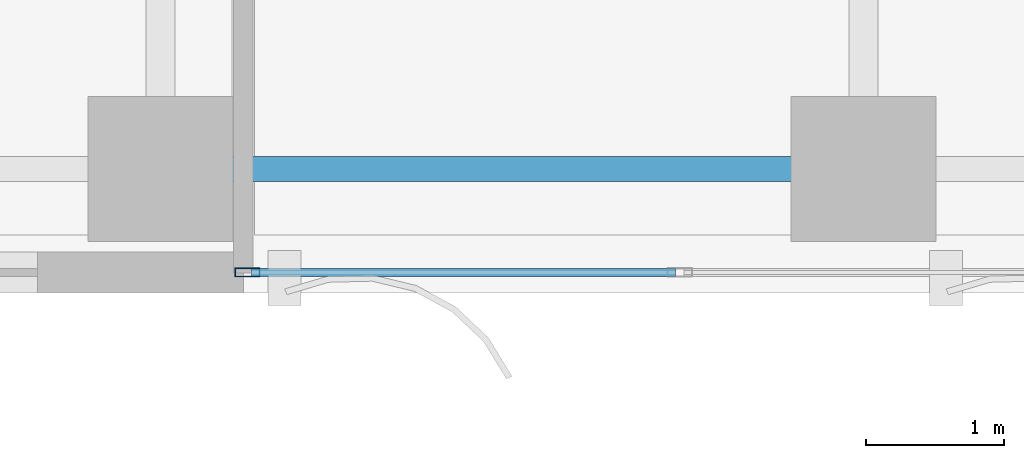
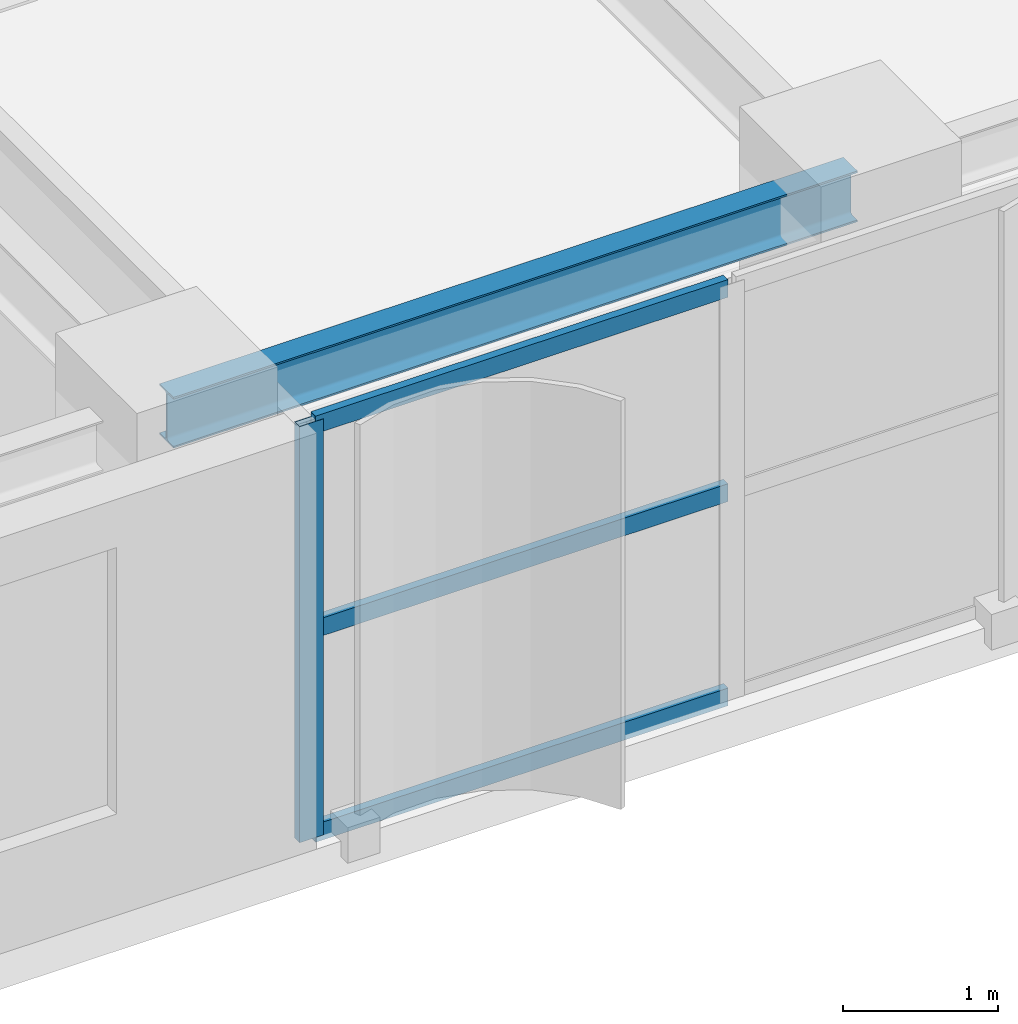
# One storey, part 2 of 28: 4 members, 1 beam, 1 element without a shape of its own.
"""IFC4 building model written with IfcOpenShell, lengths in metres."""

import ifcopenshell
import ifcopenshell.guid

model = None  # the IFC model being written
_history = None  # IfcOwnerHistory: only IFC2X3 demands one
_inside = {}  # id of a spatial element -> (the spatial element, [elements in it])
_under = {}  # id of a project, library or spatial element -> (it, [spatial elements below it])
_declared = {}  # id of a project -> (the project, [libraries it declares])
_typed = {}  # id of a type object -> (the type object, [elements of that type])
_made_of = {}  # id of a material, layer set ... -> (it, [elements and type objects made of it])


def new_model(schema):
    """Start an empty IFC model of exactly this schema.

    Asked for "IFC4X3", IfcOpenShell would pick the latest addendum, in which some entities
    have other attributes; the version numbers below select the first issue.
    IFC2X3 requires an IfcOwnerHistory on every rooted entity: one is made here for all.
    """
    global model, _history
    if schema == "IFC4X3":
        model = ifcopenshell.file(schema_version=(4, 3, 0, 0))
    else:
        model = ifcopenshell.file(schema=schema)
    _inside.clear()
    _under.clear()
    _declared.clear()
    _typed.clear()
    _made_of.clear()
    _history = None
    if model.schema == "IFC2X3":
        org = make("IfcOrganization", Name="unknown")
        user = make(
            "IfcPersonAndOrganization",
            ThePerson=make("IfcPerson", FamilyName="unknown"),
            TheOrganization=org,
        )
        app = make(
            "IfcApplication",
            ApplicationDeveloper=org,
            Version="unknown",
            ApplicationFullName="unknown",
            ApplicationIdentifier="unknown",
        )
        _history = make(
            "IfcOwnerHistory",
            OwningUser=user,
            OwningApplication=app,
            ChangeAction="ADDED",
            CreationDate=0,
        )
    return model


def make(cls, **values):
    """One entity of the class cls with the attributes given. An attribute that is None is left unset."""
    return model.create_entity(
        cls, **{name: value for name, value in values.items() if value is not None}
    )


def rooted(cls, **values):
    """An entity with a GlobalId (a new one), such as an element, a storey or a relation."""
    return make(cls, GlobalId=ifcopenshell.guid.new(), OwnerHistory=_history, **values)


def si_unit(unit_type, name, prefix=None):
    """IfcSIUnit, for example si_unit("LENGTHUNIT", "METRE", prefix="MILLI")."""
    return make("IfcSIUnit", UnitType=unit_type, Prefix=prefix, Name=name)


def assignment(units):
    """IfcUnitAssignment: the units of a project."""
    return None if units is None else make("IfcUnitAssignment", Units=units)


def point(xyz):
    """IfcCartesianPoint."""
    return None if xyz is None else make("IfcCartesianPoint", Coordinates=xyz)


def direction(xyz):
    """IfcDirection."""
    return None if xyz is None else make("IfcDirection", DirectionRatios=xyz)


def frame(location, z_axis=None, x_axis=None):
    """IfcAxis2Placement3D, a coordinate frame: its origin and axes. An axis left out is left unset."""
    return make(
        "IfcAxis2Placement3D",
        Location=point(location),
        Axis=direction(z_axis),
        RefDirection=direction(x_axis),
    )


def frame_2d(location, x_axis=None):
    """IfcAxis2Placement2D, a coordinate frame in the plane: its origin and x axis."""
    return make(
        "IfcAxis2Placement2D", Location=point(location), RefDirection=direction(x_axis)
    )


def origin():
    """The frame at (0, 0, 0) with its axes left unset."""
    return frame((0.0, 0.0, 0.0))


def origin_2d():
    """The frame at (0, 0) in the plane with its x axis left unset."""
    return frame_2d((0.0, 0.0))


def place(relative_to, where):
    """IfcLocalPlacement: puts the frame where relative to a parent placement (None: the world)."""
    return make(
        "IfcLocalPlacement", PlacementRelTo=relative_to, RelativePlacement=where
    )


def context(
    kind, dimensions, precision=None, world=None, true_north=None, identifier=None
):
    """IfcGeometricRepresentationContext, for example the 3D "Model" context."""
    return make(
        "IfcGeometricRepresentationContext",
        ContextIdentifier=identifier,
        ContextType=kind,
        CoordinateSpaceDimension=dimensions,
        Precision=precision,
        WorldCoordinateSystem=world,
        TrueNorth=true_north,
    )


def subcontext(parent, identifier, kind, view, scale=None):
    """IfcGeometricRepresentationSubContext, for example "Body" below "Model"."""
    return make(
        "IfcGeometricRepresentationSubContext",
        ContextIdentifier=identifier,
        ContextType=kind,
        ParentContext=parent,
        TargetScale=scale,
        TargetView=view,
    )


def project(units=None, contexts=None):
    """IfcProject with its units and contexts."""
    return rooted(
        "IfcProject",
        Name="project",
        RepresentationContexts=contexts,
        UnitsInContext=assignment(units),
    )


def spatial(cls, under=None, at=None, **own):
    """A site, building, storey or space (cls), placed at a placement, below another one or the project."""
    s = rooted(cls, ObjectPlacement=at, **own)
    if under is not None:
        _under.setdefault(under.id(), (under, []))[1].append(s)
    return s


def profile(cls, at=None, kind="AREA", **sizes):
    """A parametric profile (cls). Its sizes go by their IFC names, for example OverallWidth=200.0."""
    return make(cls, ProfileType=kind, Position=at, **sizes)


def hollow_rectangle(**sizes):
    """IfcRectangleHollowProfileDef."""
    return profile("IfcRectangleHollowProfileDef", **sizes)


def i_section(**sizes):
    """IfcIShapeProfileDef."""
    return profile("IfcIShapeProfileDef", **sizes)


def extrude(swept, where, along, depth):
    """IfcExtrudedAreaSolid: the profile swept, set in the frame where, extruded along a direction by depth."""
    return make(
        "IfcExtrudedAreaSolid",
        SweptArea=swept,
        Position=where,
        ExtrudedDirection=direction(along),
        Depth=depth,
    )


def shape(context_of_items, identifier, shape_type, items):
    """IfcShapeRepresentation: the items that make up one representation, for example the "Body"."""
    return make(
        "IfcShapeRepresentation",
        ContextOfItems=context_of_items,
        RepresentationIdentifier=identifier,
        RepresentationType=shape_type,
        Items=items,
    )


def source(mapping_origin, context_of_items, identifier, shape_type, items):
    """IfcRepresentationMap: a shape defined once, which mapped items show again and again."""
    return make(
        "IfcRepresentationMap",
        MappingOrigin=mapping_origin,
        MappedRepresentation=shape(context_of_items, identifier, shape_type, items),
    )


def transform(
    local_origin,
    x_axis=None,
    y_axis=None,
    z_axis=None,
    scale=None,
    scale2=None,
    scale3=None,
    uniform=True,
):
    """IfcCartesianTransformationOperator3D, or its non-uniform kind. x_axis, y_axis, z_axis: its Axis1, 2, 3."""
    if uniform:
        return make(
            "IfcCartesianTransformationOperator3D",
            Axis1=direction(x_axis),
            Axis2=direction(y_axis),
            LocalOrigin=point(local_origin),
            Scale=scale,
            Axis3=direction(z_axis),
        )
    return make(
        "IfcCartesianTransformationOperator3DnonUniform",
        Axis1=direction(x_axis),
        Axis2=direction(y_axis),
        LocalOrigin=point(local_origin),
        Scale=scale,
        Axis3=direction(z_axis),
        Scale2=scale2,
        Scale3=scale3,
    )


def mapped(mapping_source, mapping_target):
    """IfcMappedItem: shows the shape of a source again, moved by a transform."""
    return make(
        "IfcMappedItem", MappingSource=mapping_source, MappingTarget=mapping_target
    )


def material(Name=None, Category=None):
    """IfcMaterial."""
    return make("IfcMaterial", Name=Name, Category=Category)


def layer(
    of_material, thickness, ventilated=None, Name=None, Category=None, Priority=None
):
    """IfcMaterialLayer: one layer of a wall or slab, of a material (None: an air gap)."""
    return make(
        "IfcMaterialLayer",
        Material=of_material,
        LayerThickness=thickness,
        IsVentilated=ventilated,
        Name=Name,
        Category=Category,
        Priority=Priority,
    )


def layer_set(layers, Name=None):
    """IfcMaterialLayerSet."""
    return make("IfcMaterialLayerSet", MaterialLayers=layers, LayerSetName=Name)


def material_profile(
    of_material, cross_section, Name=None, Category=None, Priority=None
):
    """IfcMaterialProfile: a cross section and its material."""
    return make(
        "IfcMaterialProfile",
        Name=Name,
        Material=of_material,
        Profile=cross_section,
        Priority=Priority,
        Category=Category,
    )


def profile_set(profiles, Name=None, composite=None):
    """IfcMaterialProfileSet."""
    return make(
        "IfcMaterialProfileSet",
        Name=Name,
        MaterialProfiles=profiles,
        CompositeProfile=composite,
    )


def made_of(thing, what):
    """Note that an element or type object is made of a material, layer set ...; save() writes the relation."""
    if what is not None:
        _made_of.setdefault(what.id(), (what, []))[1].append(thing)
    return thing


def type_object(cls, material=None, **own):
    """A type object (cls), such as IfcWallType, which elements share."""
    return made_of(rooted(cls, **own), material)


def element(
    cls,
    number,
    at=None,
    inside=None,
    cuts=None,
    type_object=None,
    material=None,
    context=None,
    identifier="Body",
    shape_type=None,
    held_by="IfcProductDefinitionShape",
    body=None,
    shapes=None,
    **own,
):
    """One element of the class cls, such as IfcWall. Its Tag is "e" and its number.

    at: its placement. inside: the storey or other place that contains it. cuts: it is an
    opening in that element (IfcRelVoidsElement). A single representation is given by context,
    identifier, shape_type and body (its items); several are given by shapes. held_by: the class
    of the entity that holds the representations. save() writes the other relations.
    """
    e = rooted(cls, Tag="e%d" % number, ObjectPlacement=at, **own)
    if body is not None:
        shapes = [shape(context, identifier, shape_type, body)]
    if shapes is not None:
        e.Representation = make(held_by, Representations=shapes)
    if inside is not None:
        _inside.setdefault(inside.id(), (inside, []))[1].append(e)
    if cuts is not None:
        rooted(
            "IfcRelVoidsElement", RelatingBuildingElement=cuts, RelatedOpeningElement=e
        )
    if type_object is not None:
        _typed.setdefault(type_object.id(), (type_object, []))[1].append(e)
    return made_of(e, material)


def aggregate(whole, parts):
    """IfcRelAggregates: a whole, such as a stair, and the parts it consists of."""
    return rooted("IfcRelAggregates", RelatingObject=whole, RelatedObjects=parts)


def save(model, path):
    """Write the relations noted so far, then the file.

    IfcRelAggregates (storeys below a building ...), IfcRelContainedInSpatialStructure (elements
    in a storey), IfcRelDefinesByType, IfcRelAssociatesMaterial and IfcRelDeclares: one each for
    every whole, place, type object, material and project.
    """
    for whole, parts in _under.values():
        aggregate(whole, parts)
    for where, things in _inside.values():
        rooted(
            "IfcRelContainedInSpatialStructure",
            RelatedElements=things,
            RelatingStructure=where,
        )
    for kind, things in _typed.values():
        rooted("IfcRelDefinesByType", RelatedObjects=things, RelatingType=kind)
    for what, things in _made_of.values():
        rooted("IfcRelAssociatesMaterial", RelatedObjects=things, RelatingMaterial=what)
    for by, libraries in _declared.values():
        rooted("IfcRelDeclares", RelatingContext=by, RelatedDefinitions=libraries)
    model.write(path)


model = new_model("IFC4")

# Units and contexts
model_context = context("Model", 3, precision=1e-05, world=origin(), true_north=direction((0.0, 1.0)))
body_context = subcontext(model_context, "Body", "Model", "MODEL_VIEW")
ifc_project = project(units=[si_unit("LENGTHUNIT", "METRE"), si_unit("AREAUNIT", "SQUARE_METRE"), si_unit("VOLUMEUNIT", "CUBIC_METRE"), si_unit("PLANEANGLEUNIT", "RADIAN"), si_unit("MASSUNIT", "GRAM", prefix="KILO")], contexts=[model_context])

# Site, building, storey
site_placement = place(None, origin())
site = spatial("IfcSite", under=ifc_project, at=site_placement, CompositionType="ELEMENT")
building_placement = place(site_placement, origin())
building = spatial("IfcBuilding", under=site, at=building_placement, Name="Khoralis Quay Care Tower", CompositionType="ELEMENT")
storey_placement = place(building_placement, frame((0.0, 0.0, 144.89990234375)))
storey = spatial("IfcBuildingStorey", under=building, at=storey_placement, Name="L38", CompositionType="ELEMENT", Elevation=144.89990234375)

# Beam
ifc_material_1 = material(Name="Steel S355", Category="steel")
ifc_material_profile_1 = material_profile(ifc_material_1, i_section(OverallWidth=0.179931640625, OverallDepth=0.39990234375, WebThickness=0.008544921875, FlangeThickness=0.013427734375, FilletRadius=0.02099609375, at=origin_2d()), Name="Steel S355")
ifc_profile_set_1 = profile_set([ifc_material_profile_1], Name="Steel S355")
beam_type = type_object("IfcBeamType", Name="BM-IPE400", PredefinedType="SPANDREL", material=ifc_profile_set_1)
shared_shape_1 = source(origin(), body_context, "Body", "SweptSolid", [
    extrude(i_section(OverallWidth=0.179931640625, OverallDepth=0.39990234375, WebThickness=0.008544921875, FlangeThickness=0.013427734375, FilletRadius=0.02099609375, at=origin_2d()), origin(), (0.0, 0.0, 1.0), 5.10009765625),
])
beam_placement = place(storey_placement, frame((12.0, 0.89990234375, 3.080078125), z_axis=(1.0, 0.0, 0.0), x_axis=(0.0, 1.0, 0.0)))
element("IfcBeam", 1, at=beam_placement, inside=storey, type_object=beam_type, Name="BM-TSP-L38-02", PredefinedType="SPANDREL", context=body_context, shape_type="MappedRepresentation", body=[
    mapped(shared_shape_1, transform((0.0, 0.0, 0.0), scale=1.0)),
])

# Curtain wall, members
ifc_material_2 = material(Name="Pale anodised aluminium", Category="aluminium")
ifc_layer = layer(ifc_material_2, 0.169921875)
ifc_layer_set = layer_set([ifc_layer], Name="Pale anodised aluminium")
curtain_wall_type = type_object("IfcCurtainWallType", Name="CW-SYS-Z2", PredefinedType="NOTDEFINED", material=ifc_layer_set)
curtain_wall_placement = place(storey_placement, origin())
curtain_wall = element("IfcCurtainWall", 2, at=curtain_wall_placement, inside=storey, type_object=curtain_wall_type, Name="L38 Unitised Curtain Wall CW-L38-P1-E0", PredefinedType="NOTDEFINED")
ifc_material_profile_2 = material_profile(ifc_material_2, hollow_rectangle(XDim=0.06494140625, YDim=0.179931640625, WallThickness=0.00390625, at=origin_2d()), Name="Pale anodised aluminium")
ifc_profile_set_2 = profile_set([ifc_material_profile_2], Name="Pale anodised aluminium")
member_type_1 = type_object("IfcMemberType", Name="CW-MUL-180", PredefinedType="MULLION", material=ifc_profile_set_2)
shared_shape_2 = source(origin(), body_context, "Body", "SweptSolid", [
    extrude(hollow_rectangle(XDim=0.06494140625, YDim=0.179931640625, WallThickness=0.00390625, at=origin_2d()), origin(), (0.0, 0.0, 1.0), 3.280029296875),
])
member_1_placement = place(storey_placement, frame((12.6298828125, 0.14990234375, 0.0), z_axis=(0.0, 0.0, 1.0), x_axis=(0.0, 1.0, 0.0)))
member_1 = element("IfcMember", 3, at=member_1_placement, type_object=member_type_1, Name="CW2 mullion 1", PredefinedType="MULLION", context=body_context, shape_type="MappedRepresentation", body=[
    mapped(shared_shape_2, transform((0.0, 0.0, 0.0), scale=1.0)),
])
ifc_material_profile_3 = material_profile(ifc_material_2, hollow_rectangle(XDim=0.06005859375, YDim=0.139892578125, WallThickness=0.00390625, at=origin_2d()), Name="Pale anodised aluminium")
ifc_profile_set_3 = profile_set([ifc_material_profile_3], Name="Pale anodised aluminium")
member_type_2 = type_object("IfcMemberType", Name="CW-TRN-140", PredefinedType="USERDEFINED", material=ifc_profile_set_3)
shared_shape_3 = source(origin(), body_context, "Body", "SweptSolid", [
    extrude(hollow_rectangle(XDim=0.06005859375, YDim=0.139892578125, WallThickness=0.00390625, at=origin_2d()), origin(), (0.0, 0.0, 1.0), 3.07666015625),
])
member_2_placement = place(storey_placement, frame((12.659912109375, 0.14990234375, 0.030029296875), z_axis=(1.0, 0.0, 0.0), x_axis=(0.0, 1.0, 0.0)))
member_2 = element("IfcMember", 4, at=member_2_placement, type_object=member_type_2, Name="CW2 transom 1.1", ObjectType="TRANSOM", PredefinedType="USERDEFINED", context=body_context, shape_type="MappedRepresentation", body=[
    mapped(shared_shape_3, transform((0.0, 0.0, 0.0), scale=1.0)),
])
member_3_placement = place(storey_placement, frame((12.659912109375, 0.14990234375, 1.64013671875), z_axis=(1.0, 0.0, 0.0), x_axis=(0.0, 1.0, 0.0)))
member_3 = element("IfcMember", 5, at=member_3_placement, type_object=member_type_2, Name="CW2 transom 1.2", ObjectType="TRANSOM", PredefinedType="USERDEFINED", context=body_context, shape_type="MappedRepresentation", body=[
    mapped(shared_shape_3, transform((0.0, 0.0, 0.0), scale=1.0)),
])
member_4_placement = place(storey_placement, frame((12.659912109375, 0.14990234375, 3.25), z_axis=(1.0, 0.0, 0.0), x_axis=(0.0, 1.0, 0.0)))
member_4 = element("IfcMember", 6, at=member_4_placement, type_object=member_type_2, Name="CW2 transom 1.3", ObjectType="TRANSOM", PredefinedType="USERDEFINED", context=body_context, shape_type="MappedRepresentation", body=[
    mapped(shared_shape_3, transform((0.0, 0.0, 0.0), scale=1.0)),
])
aggregate(curtain_wall, [member_1, member_2, member_3, member_4])

save(model, "model.ifc")
